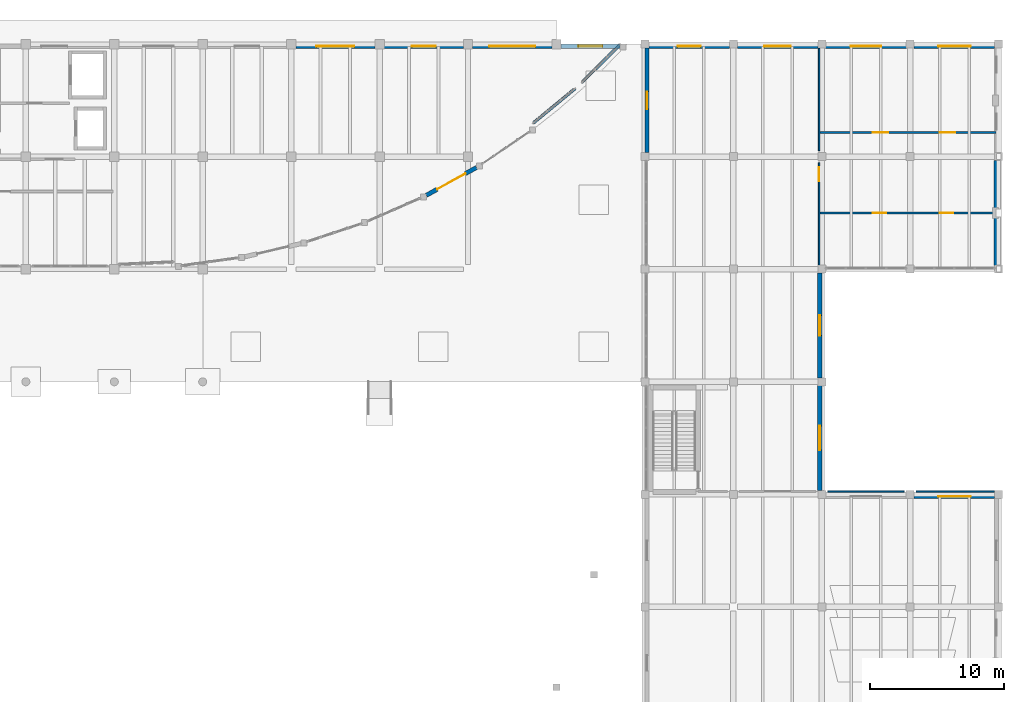
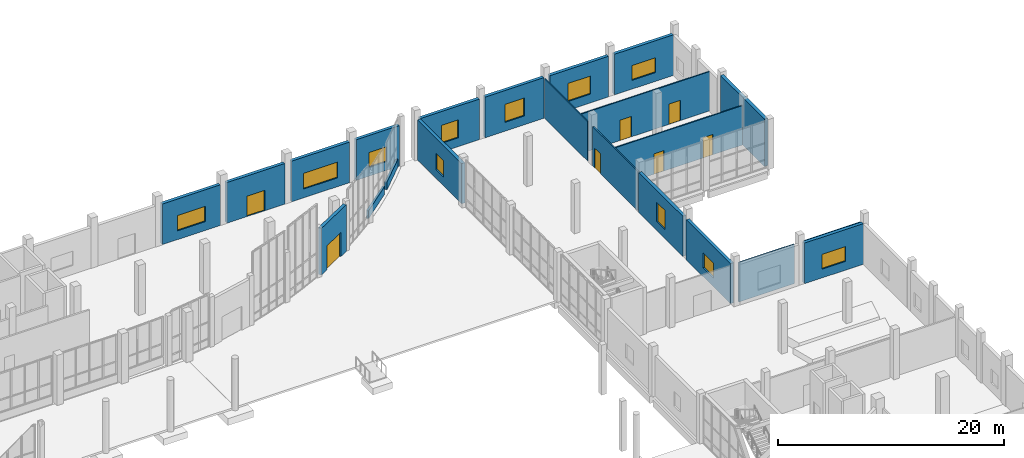
# One storey, part 49 of 64: 22 walls, 11 windows, 7 doors, 18 openings.
"""IFC4 building model written with IfcOpenShell, lengths in metres."""

from ifc_helpers import new_model, si_unit, direction, frame, frame_2d, origin, place, context, subcontext, project, spatial, rectangle, extrude, material, layer, layer_set, type_object, element, fill, save


model = new_model("IFC4")

# Units and contexts
model_context = context("Model", 3, precision=1e-05, world=origin(), true_north=direction((0.0, 1.0)))
body_context = subcontext(model_context, "Body", "Model", "MODEL_VIEW")
ifc_project = project(units=[si_unit("LENGTHUNIT", "METRE"), si_unit("AREAUNIT", "SQUARE_METRE"), si_unit("VOLUMEUNIT", "CUBIC_METRE"), si_unit("PLANEANGLEUNIT", "RADIAN"), si_unit("MASSUNIT", "GRAM", prefix="KILO")], contexts=[model_context])

# Site, building, storey
site_placement = place(None, origin())
site = spatial("IfcSite", under=ifc_project, at=site_placement, CompositionType="ELEMENT")
building_placement = place(site_placement, origin())
building = spatial("IfcBuilding", under=site, at=building_placement, Name="Qaldarim Faculty of Natural and Applied Sciences", CompositionType="ELEMENT")
storey_placement = place(building_placement, origin())
storey = spatial("IfcBuildingStorey", under=building, at=storey_placement, Name="L00", CompositionType="ELEMENT", Elevation=0.0)

# Walls
ifc_material_1 = material(Name="Painted gypsum partition board")
ifc_layer_1 = layer(ifc_material_1, 0.1201171875)
ifc_layer_set_1 = layer_set([ifc_layer_1], Name="Painted gypsum partition board")
wall_type_1 = type_object("IfcWallType", Name="AcousticPartition-120", PredefinedType="PARTITIONING", material=ifc_layer_set_1)
wall_1_placement = place(storey_placement, frame((165.449951171875, 84.199951171875, 0.0), z_axis=(0.0, 0.0, 1.0), x_axis=(1.0, 0.0, 0.0)))
element("IfcWall", 1, at=wall_1_placement, inside=storey, type_object=wall_type_1, Name="Interior partition PRT-L00-V3-EXHS-S3", PredefinedType="PARTITIONING", context=body_context, shape_type="SweptSolid", body=[
    extrude(rectangle(XDim=5.699951171875, YDim=0.1201171875, at=frame_2d((2.85009765625, 0.0))), origin(), (0.0, 0.0, 1.0), 4.25),
])
wall_2_placement = place(storey_placement, frame((172.050048828125, 84.199951171875, 0.0), z_axis=(0.0, 0.0, 1.0), x_axis=(1.0, 0.0, 0.0)))
element("IfcWall", 2, at=wall_2_placement, inside=storey, type_object=wall_type_1, Name="Interior partition PRT-L00-V3-EXHS-S4", PredefinedType="PARTITIONING", context=body_context, shape_type="SweptSolid", body=[
    extrude(rectangle(XDim=5.829833984375, YDim=0.1201171875, at=frame_2d((2.9150390625, 0.0))), origin(), (0.0, 0.0, 1.0), 4.25),
])

# Wall, opening, door
wall_3_placement = place(storey_placement, frame((164.800048828125, 100.800048828125, 0.0), z_axis=(0.0, 0.0, 1.0), x_axis=(0.0, 1.0, 0.0)))
wall_3 = element("IfcWall", 3, at=wall_3_placement, inside=storey, type_object=wall_type_1, Name="Interior partition PRT-L00-V3-SEMW-S1", PredefinedType="PARTITIONING", context=body_context, shape_type="SweptSolid", body=[
    extrude(rectangle(XDim=7.949951171875, YDim=0.1201171875, at=frame_2d((3.97509765625, 0.0))), origin(), (0.0, 0.0, 1.0), 4.25),
])
opening_1_placement = place(wall_3_placement, frame((6.550048828125, 0.0, 0.0)))
opening_1 = element("IfcOpeningElement", 4, at=opening_1_placement, cuts=wall_3, Name="Opening ID02", PredefinedType="OPENING", context=body_context, shape_type="SweptSolid", body=[
    extrude(rectangle(XDim=1.050048828125, YDim=2.14990234375, at=frame_2d((0.52490234375, 1.074951171875))), frame((0.0, 0.070068359375, 0.0), z_axis=(0.0, -1.0, 0.0), x_axis=(1.0, 0.0, 0.0)), (0.0, 0.0, 1.0), 0.14013671875),
])
ifc_material_2 = material(Name="Oak hardwood", Category="wood")
door_type_1 = type_object("IfcDoorType", Name="AccessibleRoomDoor-1050x2150", OperationType="NOTDEFINED", PredefinedType="DOOR", material=ifc_material_2)
door_1_placement = place(opening_1_placement, origin())
door_1 = element("IfcDoor", 5, at=door_1_placement, inside=storey, type_object=door_type_1, Name="Interior door D-L00-177", OperationType="SINGLE_SWING_LEFT", OverallHeight=2.14990234375, OverallWidth=1.050048828125, PredefinedType="DOOR", context=body_context, shape_type="SweptSolid", body=[
    extrude(rectangle(XDim=1.050048828125, YDim=2.14990234375, at=frame_2d((0.52490234375, 1.074951171875))), frame((0.0, 0.02490234375, 0.0), z_axis=(0.0, -1.0, 0.0), x_axis=(1.0, 0.0, 0.0)), (0.0, 0.0, 1.0), 0.050048828125),
])
fill(opening_1, door_1)

# Wall
wall_4_placement = place(storey_placement, frame((164.800048828125, 109.64990234375, 0.0), z_axis=(0.0, 0.0, 1.0), x_axis=(0.0, 1.0, 0.0)))
element("IfcWall", 6, at=wall_4_placement, inside=storey, type_object=wall_type_1, Name="Interior partition PRT-L00-V3-SEMW-S2", PredefinedType="PARTITIONING", context=body_context, shape_type="SweptSolid", body=[
    extrude(rectangle(XDim=7.630126953125, YDim=0.1201171875, at=frame_2d((3.81494140625, 0.0))), origin(), (0.0, 0.0, 1.0), 4.25),
])

# Wall, openings, doors
wall_5_placement = place(storey_placement, frame((164.800048828125, 105.0, 0.0), z_axis=(0.0, 0.0, 1.0), x_axis=(1.0, 0.0, 0.0)))
wall_5 = element("IfcWall", 7, at=wall_5_placement, inside=storey, type_object=wall_type_1, Name="Interior partition PRT-L00-V3-POD-1", PredefinedType="PARTITIONING", context=body_context, shape_type="SweptSolid", body=[
    extrude(rectangle(XDim=13.199951171875, YDim=0.1201171875, at=frame_2d((6.60009765625, 0.0))), origin(), (0.0, 0.0, 1.0), 4.25),
])
opening_2_placement = place(wall_5_placement, frame((4.0, 0.0, 0.0)))
opening_2 = element("IfcOpeningElement", 8, at=opening_2_placement, cuts=wall_5, Name="Opening ID08", PredefinedType="OPENING", context=body_context, shape_type="SweptSolid", body=[
    extrude(rectangle(XDim=1.0, YDim=2.199951171875, at=frame_2d((0.5, 1.10009765625))), frame((0.0, 0.070068359375, 0.0), z_axis=(0.0, -1.0, 0.0), x_axis=(1.0, 0.0, 0.0)), (0.0, 0.0, 1.0), 0.14013671875),
])
opening_3_placement = place(wall_5_placement, frame((9.0, 0.0, 0.0)))
opening_3 = element("IfcOpeningElement", 9, at=opening_3_placement, cuts=wall_5, Name="Opening ID08", PredefinedType="OPENING", context=body_context, shape_type="SweptSolid", body=[
    extrude(rectangle(XDim=1.0, YDim=2.199951171875, at=frame_2d((0.5, 1.10009765625))), frame((0.0, 0.070068359375, 0.0), z_axis=(0.0, -1.0, 0.0), x_axis=(1.0, 0.0, 0.0)), (0.0, 0.0, 1.0), 0.14013671875),
])
door_type_2 = type_object("IfcDoorType", Name="SeminarRoomDoor-1000x2200", OperationType="NOTDEFINED", PredefinedType="DOOR", material=ifc_material_2)
door_2_placement = place(opening_2_placement, origin())
door_2 = element("IfcDoor", 10, at=door_2_placement, inside=storey, type_object=door_type_2, Name="Interior door D-L00-366", OperationType="SINGLE_SWING_LEFT", OverallHeight=2.199951171875, OverallWidth=1.0, PredefinedType="DOOR", context=body_context, shape_type="SweptSolid", body=[
    extrude(rectangle(XDim=1.0, YDim=2.199951171875, at=frame_2d((0.5, 1.10009765625))), frame((0.0, 0.02490234375, 0.0), z_axis=(0.0, -1.0, 0.0), x_axis=(1.0, 0.0, 0.0)), (0.0, 0.0, 1.0), 0.050048828125),
])
fill(opening_2, door_2)
door_3_placement = place(opening_3_placement, origin())
door_3 = element("IfcDoor", 11, at=door_3_placement, inside=storey, type_object=door_type_2, Name="Interior door D-L00-367", OperationType="SINGLE_SWING_RIGHT", OverallHeight=2.199951171875, OverallWidth=1.0, PredefinedType="DOOR", context=body_context, shape_type="SweptSolid", body=[
    extrude(rectangle(XDim=1.0, YDim=2.199951171875, at=frame_2d((0.5, 1.10009765625))), frame((0.0, 0.02490234375, 0.0), z_axis=(0.0, -1.0, 0.0), x_axis=(1.0, 0.0, 0.0)), (0.0, 0.0, 1.0), 0.050048828125),
])
fill(opening_3, door_3)

wall_6_placement = place(storey_placement, frame((164.800048828125, 111.0, 0.0), z_axis=(0.0, 0.0, 1.0), x_axis=(1.0, 0.0, 0.0)))
wall_6 = element("IfcWall", 12, at=wall_6_placement, inside=storey, type_object=wall_type_1, Name="Interior partition PRT-L00-V3-POD-2", PredefinedType="PARTITIONING", context=body_context, shape_type="SweptSolid", body=[
    extrude(rectangle(XDim=13.199951171875, YDim=0.1201171875, at=frame_2d((6.60009765625, 0.0))), origin(), (0.0, 0.0, 1.0), 4.25),
])
opening_4_placement = place(wall_6_placement, frame((4.0, 0.0, 0.0)))
opening_4 = element("IfcOpeningElement", 13, at=opening_4_placement, cuts=wall_6, Name="Opening ID09", PredefinedType="OPENING", context=body_context, shape_type="SweptSolid", body=[
    extrude(rectangle(XDim=1.14990234375, YDim=2.199951171875, at=frame_2d((0.574951171875, 1.10009765625))), frame((0.0, 0.070068359375, 0.0), z_axis=(0.0, -1.0, 0.0), x_axis=(1.0, 0.0, 0.0)), (0.0, 0.0, 1.0), 0.14013671875),
])
opening_5_placement = place(wall_6_placement, frame((9.0, 0.0, 0.0)))
opening_5 = element("IfcOpeningElement", 14, at=opening_5_placement, cuts=wall_6, Name="Opening ID09", PredefinedType="OPENING", context=body_context, shape_type="SweptSolid", body=[
    extrude(rectangle(XDim=1.14990234375, YDim=2.199951171875, at=frame_2d((0.574951171875, 1.10009765625))), frame((0.0, 0.070068359375, 0.0), z_axis=(0.0, -1.0, 0.0), x_axis=(1.0, 0.0, 0.0)), (0.0, 0.0, 1.0), 0.14013671875),
])
ifc_material_3 = material(Name="Architectural stainless steel 316", Category="steel")
door_type_3 = type_object("IfcDoorType", Name="CleanroomAirlockDoor-1150x2200", OperationType="NOTDEFINED", PredefinedType="DOOR", material=ifc_material_3)
door_4_placement = place(opening_4_placement, origin())
door_4 = element("IfcDoor", 15, at=door_4_placement, inside=storey, type_object=door_type_3, Name="Interior door D-L00-368", OperationType="SINGLE_SWING_LEFT", OverallHeight=2.199951171875, OverallWidth=1.14990234375, PredefinedType="DOOR", context=body_context, shape_type="SweptSolid", body=[
    extrude(rectangle(XDim=1.14990234375, YDim=2.199951171875, at=frame_2d((0.574951171875, 1.10009765625))), frame((0.0, 0.02490234375, 0.0), z_axis=(0.0, -1.0, 0.0), x_axis=(1.0, 0.0, 0.0)), (0.0, 0.0, 1.0), 0.050048828125),
])
fill(opening_4, door_4)
door_5_placement = place(opening_5_placement, origin())
door_5 = element("IfcDoor", 16, at=door_5_placement, inside=storey, type_object=door_type_3, Name="Interior door D-L00-369", OperationType="SINGLE_SWING_RIGHT", OverallHeight=2.199951171875, OverallWidth=1.14990234375, PredefinedType="DOOR", context=body_context, shape_type="SweptSolid", body=[
    extrude(rectangle(XDim=1.14990234375, YDim=2.199951171875, at=frame_2d((0.574951171875, 1.10009765625))), frame((0.0, 0.02490234375, 0.0), z_axis=(0.0, -1.0, 0.0), x_axis=(1.0, 0.0, 0.0)), (0.0, 0.0, 1.0), 0.050048828125),
])
fill(opening_5, door_5)

# Wall, opening, window
ifc_material_4 = material(Name="Precast concrete C40/50", Category="concrete")
ifc_layer_2 = layer(ifc_material_4, 0.320068359375)
ifc_layer_set_2 = layer_set([ifc_layer_2], Name="Precast concrete C40/50")
wall_type_2 = type_object("IfcWallType", Name="ExteriorLimestoneWall-320", PredefinedType="SOLIDWALL", material=ifc_layer_set_2)
wall_7_placement = place(storey_placement, frame((131.655029296875, 117.43994140625, 0.0), z_axis=(0.0, 0.0, 1.0), x_axis=(-1.0, 0.0, 0.0)))
wall_7 = element("IfcWall", 17, at=wall_7_placement, inside=storey, type_object=wall_type_2, Name="Exterior wall EW01 L00 N X20Y14", PredefinedType="SOLIDWALL", context=body_context, shape_type="SweptSolid", body=[
    extrude(rectangle(XDim=5.909912109375, YDim=0.320068359375, at=frame_2d((2.955078125, 0.0))), origin(), (0.0, 0.0, 1.0), 4.385009765625),
])
opening_6_placement = place(wall_7_placement, frame((1.530029296875, 0.0, 0.949951171875)))
opening_6 = element("IfcOpeningElement", 18, at=opening_6_placement, cuts=wall_7, Name="Opening WN14", PredefinedType="OPENING", context=body_context, shape_type="SweptSolid", body=[
    extrude(rectangle(XDim=2.85009765625, YDim=1.64990234375, at=frame_2d((1.425048828125, 0.824951171875))), frame((0.0, 0.169921875, 0.0), z_axis=(0.0, -1.0, 0.0), x_axis=(1.0, 0.0, 0.0)), (0.0, 0.0, 1.0), 0.340087890625),
])
ifc_material_5 = material(Name="Insulated low-e double glazing", Category="glass")
window_type_1 = type_object("IfcWindowType", Name="LabWindow-2850x1650", PartitioningType="TRIPLE_PANEL_VERTICAL", PredefinedType="WINDOW", material=ifc_material_5)
window_1_placement = place(opening_6_placement, origin())
window_1 = element("IfcWindow", 19, at=window_1_placement, inside=storey, type_object=window_type_1, Name="Facade window WN14 L00 N X20Y14", OverallHeight=1.64990234375, OverallWidth=2.85009765625, PartitioningType="SINGLE_PANEL", PredefinedType="WINDOW", context=body_context, shape_type="SweptSolid", body=[
    extrude(rectangle(XDim=2.85009765625, YDim=1.64990234375, at=frame_2d((1.425048828125, 0.824951171875))), frame((0.0, 0.030029296875, 0.0), z_axis=(0.0, -1.0, 0.0), x_axis=(1.0, 0.0, 0.0)), (0.0, 0.0, 1.0), 0.06005859375),
])
fill(opening_6, window_1)

# Wall, opening, door
wall_8_placement = place(storey_placement, frame((138.2548828125, 117.43994140625, 0.0), z_axis=(0.0, 0.0, 1.0), x_axis=(-1.0, 0.0, 0.0)))
wall_8 = element("IfcWall", 20, at=wall_8_placement, inside=storey, type_object=wall_type_2, Name="Exterior wall EW01 L00 N X21Y14", PredefinedType="SOLIDWALL", context=body_context, shape_type="SweptSolid", body=[
    extrude(rectangle(XDim=5.909912109375, YDim=0.320068359375, at=frame_2d((2.955078125, 0.0))), origin(), (0.0, 0.0, 1.0), 4.385009765625),
])
opening_7_placement = place(wall_8_placement, frame((2.054931640625, 0.0, 0.0)))
opening_7 = element("IfcOpeningElement", 21, at=opening_7_placement, cuts=wall_8, Name="Opening ED04", PredefinedType="OPENING", context=body_context, shape_type="SweptSolid", body=[
    extrude(rectangle(XDim=1.800048828125, YDim=2.199951171875, at=frame_2d((0.89990234375, 1.10009765625))), frame((0.0, 0.169921875, 0.0), z_axis=(0.0, -1.0, 0.0), x_axis=(1.0, 0.0, 0.0)), (0.0, 0.0, 1.0), 0.340087890625),
])
door_type_4 = type_object("IfcDoorType", Name="FinalExitDoubleDoor-1800x2200", OperationType="NOTDEFINED", PredefinedType="DOOR", material=ifc_material_3)
door_6_placement = place(opening_7_placement, frame((1.800048828125, 0.0, 0.0), z_axis=(0.0, 0.0, 1.0), x_axis=(-1.0, 0.0, 0.0)))
door_6 = element("IfcDoor", 22, at=door_6_placement, inside=storey, type_object=door_type_4, Name="Exterior entrance/exit door D-L00-016", OperationType="DOUBLE_DOOR_SINGLE_SWING", OverallHeight=2.199951171875, OverallWidth=1.800048828125, PredefinedType="DOOR", context=body_context, shape_type="SweptSolid", body=[
    extrude(rectangle(XDim=1.800048828125, YDim=2.199951171875, at=frame_2d((0.89990234375, 1.10009765625))), frame((0.0, 0.02490234375, 0.0), z_axis=(0.0, -1.0, 0.0), x_axis=(1.0, 0.0, 0.0)), (0.0, 0.0, 1.0), 0.050048828125),
])
fill(opening_7, door_6)

# Wall, opening, window
wall_9_placement = place(storey_placement, frame((144.85498046875, 117.43994140625, 0.0), z_axis=(0.0, 0.0, 1.0), x_axis=(-1.0, 0.0, 0.0)))
wall_9 = element("IfcWall", 23, at=wall_9_placement, inside=storey, type_object=wall_type_2, Name="Exterior wall EW01 L00 N X22Y14", PredefinedType="SOLIDWALL", context=body_context, shape_type="SweptSolid", body=[
    extrude(rectangle(XDim=5.909912109375, YDim=0.320068359375, at=frame_2d((2.955078125, 0.0))), origin(), (0.0, 0.0, 1.0), 4.385009765625),
])
opening_8_placement = place(wall_9_placement, frame((1.22998046875, 0.0, 0.949951171875)))
opening_8 = element("IfcOpeningElement", 24, at=opening_8_placement, cuts=wall_9, Name="Opening WN16", PredefinedType="OPENING", context=body_context, shape_type="SweptSolid", body=[
    extrude(rectangle(XDim=3.449951171875, YDim=1.699951171875, at=frame_2d((1.72509765625, 0.85009765625))), frame((0.0, 0.169921875, 0.0), z_axis=(0.0, -1.0, 0.0), x_axis=(1.0, 0.0, 0.0)), (0.0, 0.0, 1.0), 0.340087890625),
])
window_type_2 = type_object("IfcWindowType", Name="LabWindow-3450x1700", PartitioningType="TRIPLE_PANEL_VERTICAL", PredefinedType="WINDOW", material=ifc_material_5)
window_2_placement = place(opening_8_placement, origin())
window_2 = element("IfcWindow", 25, at=window_2_placement, inside=storey, type_object=window_type_2, Name="Facade window WN16 L00 N X22Y14", OverallHeight=1.699951171875, OverallWidth=3.449951171875, PartitioningType="SINGLE_PANEL", PredefinedType="WINDOW", context=body_context, shape_type="SweptSolid", body=[
    extrude(rectangle(XDim=3.449951171875, YDim=1.699951171875, at=frame_2d((1.72509765625, 0.85009765625))), frame((0.0, 0.030029296875, 0.0), z_axis=(0.0, -1.0, 0.0), x_axis=(1.0, 0.0, 0.0)), (0.0, 0.0, 1.0), 0.06005859375),
])
fill(opening_8, window_2)

wall_10_placement = place(storey_placement, frame((158.10498046875, 117.43994140625, 0.0), z_axis=(0.0, 0.0, 1.0), x_axis=(-1.0, 0.0, 0.0)))
wall_10 = element("IfcWall", 26, at=wall_10_placement, inside=storey, type_object=wall_type_2, Name="Exterior wall EW01 L00 N X24Y14", PredefinedType="SOLIDWALL", context=body_context, shape_type="SweptSolid", body=[
    extrude(rectangle(XDim=6.010009765625, YDim=0.320068359375, at=frame_2d((3.0048828125, 0.0))), origin(), (0.0, 0.0, 1.0), 4.385009765625),
])
opening_9_placement = place(wall_10_placement, frame((2.155029296875, 0.0, 0.949951171875)))
opening_9 = element("IfcOpeningElement", 27, at=opening_9_placement, cuts=wall_10, Name="Opening WN26", PredefinedType="OPENING", context=body_context, shape_type="SweptSolid", body=[
    extrude(rectangle(XDim=1.699951171875, YDim=1.949951171875, at=frame_2d((0.85009765625, 0.97509765625))), frame((0.0, 0.169921875, 0.0), z_axis=(0.0, -1.0, 0.0), x_axis=(1.0, 0.0, 0.0)), (0.0, 0.0, 1.0), 0.340087890625),
])
window_type_3 = type_object("IfcWindowType", Name="GalleryWindow-1700x1950", PartitioningType="DOUBLE_PANEL_VERTICAL", PredefinedType="WINDOW", material=ifc_material_5)
window_3_placement = place(opening_9_placement, origin())
window_3 = element("IfcWindow", 28, at=window_3_placement, inside=storey, type_object=window_type_3, Name="Facade window WN26 L00 N X24Y14", OverallHeight=1.949951171875, OverallWidth=1.699951171875, PartitioningType="SINGLE_PANEL", PredefinedType="WINDOW", context=body_context, shape_type="SweptSolid", body=[
    extrude(rectangle(XDim=1.699951171875, YDim=1.949951171875, at=frame_2d((0.85009765625, 0.97509765625))), frame((0.0, 0.030029296875, 0.0), z_axis=(0.0, -1.0, 0.0), x_axis=(1.0, 0.0, 0.0)), (0.0, 0.0, 1.0), 0.06005859375),
])
fill(opening_9, window_3)

wall_11_placement = place(storey_placement, frame((151.9599609375, 117.304931640625, 0.0), z_axis=(0.0, 0.0, 1.0), x_axis=(0.0, -1.0, 0.0)))
wall_11 = element("IfcWall", 29, at=wall_11_placement, inside=storey, type_object=wall_type_2, Name="Exterior wall EW01 L00 W X24Y14", PredefinedType="SOLIDWALL", context=body_context, shape_type="SweptSolid", body=[
    extrude(rectangle(XDim=7.809814453125, YDim=0.320068359375, at=frame_2d((3.90478515625, 0.0))), origin(), (0.0, 0.0, 1.0), 4.3349609375),
])
opening_10_placement = place(wall_11_placement, frame((3.2548828125, 0.0, 0.949951171875)))
opening_10 = element("IfcOpeningElement", 30, at=opening_10_placement, cuts=wall_11, Name="Opening WN18", PredefinedType="OPENING", context=body_context, shape_type="SweptSolid", body=[
    extrude(rectangle(XDim=1.300048828125, YDim=1.75, at=frame_2d((0.64990234375, 0.875))), frame((0.0, 0.169921875, 0.0), z_axis=(0.0, -1.0, 0.0), x_axis=(1.0, 0.0, 0.0)), (0.0, 0.0, 1.0), 0.340087890625),
])
window_type_4 = type_object("IfcWindowType", Name="StudyWindow-1300x1750", PartitioningType="SINGLE_PANEL", PredefinedType="WINDOW", material=ifc_material_5)
window_4_placement = place(opening_10_placement, origin())
window_4 = element("IfcWindow", 31, at=window_4_placement, inside=storey, type_object=window_type_4, Name="Facade window WN18 L00 W X24Y14", OverallHeight=1.75, OverallWidth=1.300048828125, PartitioningType="SINGLE_PANEL", PredefinedType="WINDOW", context=body_context, shape_type="SweptSolid", body=[
    extrude(rectangle(XDim=1.300048828125, YDim=1.75, at=frame_2d((0.64990234375, 0.875))), frame((0.0, 0.030029296875, 0.0), z_axis=(0.0, -1.0, 0.0), x_axis=(1.0, 0.0, 0.0)), (0.0, 0.0, 1.0), 0.06005859375),
])
fill(opening_10, window_4)

wall_12_placement = place(storey_placement, frame((164.840087890625, 84.294921875, 0.0), z_axis=(0.0, 0.0, 1.0), x_axis=(0.0, 1.0, 0.0)))
wall_12 = element("IfcWall", 32, at=wall_12_placement, inside=storey, type_object=wall_type_2, Name="Exterior wall EW01 L00 E X25Y11", PredefinedType="SOLIDWALL", context=body_context, shape_type="SweptSolid", body=[
    extrude(rectangle(XDim=7.81005859375, YDim=0.320068359375, at=frame_2d((3.905029296875, 0.0))), origin(), (0.0, 0.0, 1.0), 4.3349609375),
])
opening_11_placement = place(wall_12_placement, frame((3.0048828125, 0.0, 0.949951171875)))
opening_11 = element("IfcOpeningElement", 33, at=opening_11_placement, cuts=wall_12, Name="Opening WN02", PredefinedType="OPENING", context=body_context, shape_type="SweptSolid", body=[
    extrude(rectangle(XDim=1.800048828125, YDim=1.60009765625, at=frame_2d((0.89990234375, 0.800048828125))), frame((0.0, 0.169921875, 0.0), z_axis=(0.0, -1.0, 0.0), x_axis=(1.0, 0.0, 0.0)), (0.0, 0.0, 1.0), 0.340087890625),
])
window_type_5 = type_object("IfcWindowType", Name="Window-1800x1600", PartitioningType="DOUBLE_PANEL_VERTICAL", PredefinedType="WINDOW", material=ifc_material_5)
window_5_placement = place(opening_11_placement, origin())
window_5 = element("IfcWindow", 34, at=window_5_placement, inside=storey, type_object=window_type_5, Name="Facade window WN02 L00 E X25Y11", OverallHeight=1.60009765625, OverallWidth=1.800048828125, PartitioningType="SINGLE_PANEL", PredefinedType="WINDOW", context=body_context, shape_type="SweptSolid", body=[
    extrude(rectangle(XDim=1.800048828125, YDim=1.60009765625, at=frame_2d((0.89990234375, 0.800048828125))), frame((0.0, 0.030029296875, 0.0), z_axis=(0.0, -1.0, 0.0), x_axis=(1.0, 0.0, 0.0)), (0.0, 0.0, 1.0), 0.06005859375),
])
fill(opening_11, window_5)

wall_13_placement = place(storey_placement, frame((164.840087890625, 92.695068359375, 0.0), z_axis=(0.0, 0.0, 1.0), x_axis=(0.0, 1.0, 0.0)))
wall_13 = element("IfcWall", 35, at=wall_13_placement, inside=storey, type_object=wall_type_2, Name="Exterior wall EW01 L00 E X25Y12", PredefinedType="SOLIDWALL", context=body_context, shape_type="SweptSolid", body=[
    extrude(rectangle(XDim=7.809814453125, YDim=0.320068359375, at=frame_2d((3.90478515625, 0.0))), origin(), (0.0, 0.0, 1.0), 4.3349609375),
])
opening_12_placement = place(wall_13_placement, frame((3.155029296875, 0.0, 0.949951171875)))
opening_12 = element("IfcOpeningElement", 36, at=opening_12_placement, cuts=wall_13, Name="Opening WN06", PredefinedType="OPENING", context=body_context, shape_type="SweptSolid", body=[
    extrude(rectangle(XDim=1.5, YDim=2.10009765625, at=frame_2d((0.75, 1.050048828125))), frame((0.0, 0.169921875, 0.0), z_axis=(0.0, -1.0, 0.0), x_axis=(1.0, 0.0, 0.0)), (0.0, 0.0, 1.0), 0.340087890625),
])
window_type_6 = type_object("IfcWindowType", Name="Window-1500x2100", PartitioningType="DOUBLE_PANEL_VERTICAL", PredefinedType="WINDOW", material=ifc_material_5)
window_6_placement = place(opening_12_placement, origin())
window_6 = element("IfcWindow", 37, at=window_6_placement, inside=storey, type_object=window_type_6, Name="Facade window WN06 L00 E X25Y12", OverallHeight=2.10009765625, OverallWidth=1.5, PartitioningType="SINGLE_PANEL", PredefinedType="WINDOW", context=body_context, shape_type="SweptSolid", body=[
    extrude(rectangle(XDim=1.5, YDim=2.10009765625, at=frame_2d((0.75, 1.050048828125))), frame((0.0, 0.030029296875, 0.0), z_axis=(0.0, -1.0, 0.0), x_axis=(1.0, 0.0, 0.0)), (0.0, 0.0, 1.0), 0.06005859375),
])
fill(opening_12, window_6)

wall_14_placement = place(storey_placement, frame((164.705078125, 117.43994140625, 0.0), z_axis=(0.0, 0.0, 1.0), x_axis=(-1.0, 0.0, 0.0)))
wall_14 = element("IfcWall", 38, at=wall_14_placement, inside=storey, type_object=wall_type_2, Name="Exterior wall EW01 L00 N X25Y14", PredefinedType="SOLIDWALL", context=body_context, shape_type="SweptSolid", body=[
    extrude(rectangle(XDim=6.010009765625, YDim=0.320068359375, at=frame_2d((3.0048828125, 0.0))), origin(), (0.0, 0.0, 1.0), 4.385009765625),
])
opening_13_placement = place(wall_14_placement, frame((2.0048828125, 0.0, 0.949951171875)))
opening_13 = element("IfcOpeningElement", 39, at=opening_13_placement, cuts=wall_14, Name="Opening WN27", PredefinedType="OPENING", context=body_context, shape_type="SweptSolid", body=[
    extrude(rectangle(XDim=2.0, YDim=1.949951171875, at=frame_2d((1.0, 0.97509765625))), frame((0.0, 0.169921875, 0.0), z_axis=(0.0, -1.0, 0.0), x_axis=(1.0, 0.0, 0.0)), (0.0, 0.0, 1.0), 0.340087890625),
])
window_type_7 = type_object("IfcWindowType", Name="GalleryWindow-2000x1950", PartitioningType="DOUBLE_PANEL_VERTICAL", PredefinedType="WINDOW", material=ifc_material_5)
window_7_placement = place(opening_13_placement, origin())
window_7 = element("IfcWindow", 40, at=window_7_placement, inside=storey, type_object=window_type_7, Name="Facade window WN27 L00 N X25Y14", OverallHeight=1.949951171875, OverallWidth=2.0, PartitioningType="SINGLE_PANEL", PredefinedType="WINDOW", context=body_context, shape_type="SweptSolid", body=[
    extrude(rectangle(XDim=2.0, YDim=1.949951171875, at=frame_2d((1.0, 0.97509765625))), frame((0.0, 0.030029296875, 0.0), z_axis=(0.0, -1.0, 0.0), x_axis=(1.0, 0.0, 0.0)), (0.0, 0.0, 1.0), 0.06005859375),
])
fill(opening_13, window_7)

wall_15_placement = place(storey_placement, frame((171.304931640625, 117.43994140625, 0.0), z_axis=(0.0, 0.0, 1.0), x_axis=(-1.0, 0.0, 0.0)))
wall_15 = element("IfcWall", 41, at=wall_15_placement, inside=storey, type_object=wall_type_2, Name="Exterior wall EW01 L00 N X26Y14", PredefinedType="SOLIDWALL", context=body_context, shape_type="SweptSolid", body=[
    extrude(rectangle(XDim=6.010009765625, YDim=0.320068359375, at=frame_2d((3.0048828125, 0.0))), origin(), (0.0, 0.0, 1.0), 4.385009765625),
])
opening_14_placement = place(wall_15_placement, frame((1.85498046875, 0.0, 0.949951171875)))
opening_14 = element("IfcOpeningElement", 42, at=opening_14_placement, cuts=wall_15, Name="Opening WN28", PredefinedType="OPENING", context=body_context, shape_type="SweptSolid", body=[
    extrude(rectangle(XDim=2.300048828125, YDim=1.949951171875, at=frame_2d((1.14990234375, 0.97509765625))), frame((0.0, 0.169921875, 0.0), z_axis=(0.0, -1.0, 0.0), x_axis=(1.0, 0.0, 0.0)), (0.0, 0.0, 1.0), 0.340087890625),
])
window_type_8 = type_object("IfcWindowType", Name="GalleryWindow-2300x1950", PartitioningType="TRIPLE_PANEL_VERTICAL", PredefinedType="WINDOW", material=ifc_material_5)
window_8_placement = place(opening_14_placement, origin())
window_8 = element("IfcWindow", 43, at=window_8_placement, inside=storey, type_object=window_type_8, Name="Facade window WN28 L00 N X26Y14", OverallHeight=1.949951171875, OverallWidth=2.300048828125, PartitioningType="SINGLE_PANEL", PredefinedType="WINDOW", context=body_context, shape_type="SweptSolid", body=[
    extrude(rectangle(XDim=2.300048828125, YDim=1.949951171875, at=frame_2d((1.14990234375, 0.97509765625))), frame((0.0, 0.030029296875, 0.0), z_axis=(0.0, -1.0, 0.0), x_axis=(1.0, 0.0, 0.0)), (0.0, 0.0, 1.0), 0.06005859375),
])
fill(opening_14, window_8)

wall_16_placement = place(storey_placement, frame((177.905029296875, 83.840087890625, 0.0), z_axis=(0.0, 0.0, 1.0), x_axis=(-1.0, 0.0, 0.0)))
wall_16 = element("IfcWall", 44, at=wall_16_placement, inside=storey, type_object=wall_type_2, Name="Exterior wall EW01 L00 N X27Y10", PredefinedType="SOLIDWALL", context=body_context, shape_type="SweptSolid", body=[
    extrude(rectangle(XDim=6.010009765625, YDim=0.320068359375, at=frame_2d((3.0048828125, 0.0))), origin(), (0.0, 0.0, 1.0), 4.385009765625),
])
opening_15_placement = place(wall_16_placement, frame((1.804931640625, 0.0, 0.949951171875)))
opening_15 = element("IfcOpeningElement", 45, at=opening_15_placement, cuts=wall_16, Name="Opening WN03", PredefinedType="OPENING", context=body_context, shape_type="SweptSolid", body=[
    extrude(rectangle(XDim=2.39990234375, YDim=1.60009765625, at=frame_2d((1.199951171875, 0.800048828125))), frame((0.0, 0.169921875, 0.0), z_axis=(0.0, -1.0, 0.0), x_axis=(1.0, 0.0, 0.0)), (0.0, 0.0, 1.0), 0.340087890625),
])
window_type_9 = type_object("IfcWindowType", Name="Window-2400x1600", PartitioningType="TRIPLE_PANEL_VERTICAL", PredefinedType="WINDOW", material=ifc_material_5)
window_9_placement = place(opening_15_placement, origin())
window_9 = element("IfcWindow", 46, at=window_9_placement, inside=storey, type_object=window_type_9, Name="Facade window WN03 L00 N X27Y10", OverallHeight=1.60009765625, OverallWidth=2.39990234375, PartitioningType="SINGLE_PANEL", PredefinedType="WINDOW", context=body_context, shape_type="SweptSolid", body=[
    extrude(rectangle(XDim=2.39990234375, YDim=1.60009765625, at=frame_2d((1.199951171875, 0.800048828125))), frame((0.0, 0.030029296875, 0.0), z_axis=(0.0, -1.0, 0.0), x_axis=(1.0, 0.0, 0.0)), (0.0, 0.0, 1.0), 0.06005859375),
])
fill(opening_15, window_9)

wall_17_placement = place(storey_placement, frame((177.905029296875, 117.43994140625, 0.0), z_axis=(0.0, 0.0, 1.0), x_axis=(-1.0, 0.0, 0.0)))
wall_17 = element("IfcWall", 47, at=wall_17_placement, inside=storey, type_object=wall_type_2, Name="Exterior wall EW01 L00 N X27Y14", PredefinedType="SOLIDWALL", context=body_context, shape_type="SweptSolid", body=[
    extrude(rectangle(XDim=6.010009765625, YDim=0.320068359375, at=frame_2d((3.0048828125, 0.0))), origin(), (0.0, 0.0, 1.0), 4.385009765625),
])
opening_16_placement = place(wall_17_placement, frame((1.804931640625, 0.0, 0.949951171875)))
opening_16 = element("IfcOpeningElement", 48, at=opening_16_placement, cuts=wall_17, Name="Opening WN03", PredefinedType="OPENING", context=body_context, shape_type="SweptSolid", body=[
    extrude(rectangle(XDim=2.39990234375, YDim=1.60009765625, at=frame_2d((1.199951171875, 0.800048828125))), frame((0.0, 0.169921875, 0.0), z_axis=(0.0, -1.0, 0.0), x_axis=(1.0, 0.0, 0.0)), (0.0, 0.0, 1.0), 0.340087890625),
])
window_10_placement = place(opening_16_placement, origin())
window_10 = element("IfcWindow", 49, at=window_10_placement, inside=storey, type_object=window_type_9, Name="Facade window WN03 L00 N X27Y14", OverallHeight=1.60009765625, OverallWidth=2.39990234375, PartitioningType="SINGLE_PANEL", PredefinedType="WINDOW", context=body_context, shape_type="SweptSolid", body=[
    extrude(rectangle(XDim=2.39990234375, YDim=1.60009765625, at=frame_2d((1.199951171875, 0.800048828125))), frame((0.0, 0.030029296875, 0.0), z_axis=(0.0, -1.0, 0.0), x_axis=(1.0, 0.0, 0.0)), (0.0, 0.0, 1.0), 0.06005859375),
])
fill(opening_16, window_10)

# Wall, opening, door
wall_18_placement = place(storey_placement, frame((135.485107421875, 106.31494140625, 0.0), z_axis=(0.0, 0.0, 1.0), x_axis=(0.874437155069, 0.485138806771, 0.0)))
wall_18 = element("IfcWall", 50, at=wall_18_placement, inside=storey, type_object=wall_type_2, Name="Arched portal entrance doorway wall 5", PredefinedType="SOLIDWALL", context=body_context, shape_type="SweptSolid", body=[
    extrude(rectangle(XDim=4.277099609375, YDim=0.320068359375, at=frame_2d((2.138671875, 0.0))), origin(), (0.0, 0.0, 1.0), 5.0400390625),
])
opening_17_placement = place(wall_18_placement, frame((0.93994140625, 0.0, 0.0)))
opening_17 = element("IfcOpeningElement", 51, at=opening_17_placement, cuts=wall_18, Name="Opening ED02", PredefinedType="OPENING", context=body_context, shape_type="SweptSolid", body=[
    extrude(rectangle(XDim=2.39990234375, YDim=2.60009765625, at=frame_2d((1.199951171875, 1.300048828125))), frame((0.0, 0.169921875, 0.0), z_axis=(0.0, -1.0, 0.0), x_axis=(1.0, 0.0, 0.0)), (0.0, 0.0, 1.0), 0.340087890625),
])
ifc_material_6 = material(Name="Anodised aluminium AW-6063", Category="aluminium")
door_type_5 = type_object("IfcDoorType", Name="PortalGlazedEntranceDoor-2400x2600", OperationType="NOTDEFINED", PredefinedType="DOOR", material=ifc_material_6)
door_7_placement = place(opening_17_placement, frame((2.39990234375, 0.0, 0.0), z_axis=(0.0, 0.0, 1.0), x_axis=(-1.0, 0.0, 0.0)))
door_7 = element("IfcDoor", 52, at=door_7_placement, inside=storey, type_object=door_type_5, Name="Swept arched portal ceremonial entrance door D-L00-033", OperationType="DOUBLE_DOOR_SINGLE_SWING", OverallHeight=2.60009765625, OverallWidth=2.39990234375, PredefinedType="DOOR", context=body_context, shape_type="SweptSolid", body=[
    extrude(rectangle(XDim=2.39990234375, YDim=2.60009765625, at=frame_2d((1.199951171875, 1.300048828125))), frame((0.0, 0.02490234375, 0.0), z_axis=(0.0, -1.0, 0.0), x_axis=(1.0, 0.0, 0.0)), (0.0, 0.0, 1.0), 0.050048828125),
])
fill(opening_17, door_7)

# Wall, opening, window
wall_19_placement = place(storey_placement, frame((149.929931640625, 117.43994140625, 0.0), z_axis=(0.0, 0.0, 1.0), x_axis=(-1.0, 0.0, 0.0)))
wall_19 = element("IfcWall", 53, at=wall_19_placement, inside=storey, type_object=wall_type_2, Name="Laboratories NE corner facade wall L00", PredefinedType="SOLIDWALL", context=body_context, shape_type="SweptSolid", body=[
    extrude(rectangle(XDim=4.385009765625, YDim=0.320068359375, at=frame_2d((2.1923828125, 0.0))), origin(), (0.0, 0.0, 1.0), 4.385009765625),
])
opening_18_placement = place(wall_19_placement, frame((1.294921875, 0.0, 0.949951171875)))
opening_18 = element("IfcOpeningElement", 54, at=opening_18_placement, cuts=wall_19, Name="Opening WN02", PredefinedType="OPENING", context=body_context, shape_type="SweptSolid", body=[
    extrude(rectangle(XDim=1.800048828125, YDim=1.60009765625, at=frame_2d((0.89990234375, 0.800048828125))), frame((0.0, 0.169921875, 0.0), z_axis=(0.0, -1.0, 0.0), x_axis=(1.0, 0.0, 0.0)), (0.0, 0.0, 1.0), 0.340087890625),
])
window_11_placement = place(opening_18_placement, origin())
window_11 = element("IfcWindow", 55, at=window_11_placement, inside=storey, type_object=window_type_5, Name="Laboratories NE corner window L00", OverallHeight=1.60009765625, OverallWidth=1.800048828125, PartitioningType="SINGLE_PANEL", PredefinedType="WINDOW", context=body_context, shape_type="SweptSolid", body=[
    extrude(rectangle(XDim=1.800048828125, YDim=1.60009765625, at=frame_2d((0.89990234375, 0.800048828125))), frame((0.0, 0.030029296875, 0.0), z_axis=(0.0, -1.0, 0.0), x_axis=(1.0, 0.0, 0.0)), (0.0, 0.0, 1.0), 0.06005859375),
])
fill(opening_18, window_11)

# Walls
ifc_material_7 = material(Name="Concrete C50/60", Category="concrete")
ifc_layer_3 = layer(ifc_material_7, 0.340087890625)
ifc_layer_set_3 = layer_set([ifc_layer_3], Name="Concrete C50/60")
wall_type_3 = type_object("IfcWallType", Name="ExteriorStairShearWall-340", PredefinedType="SHEAR", material=ifc_layer_set_3)
wall_20_placement = place(storey_placement, frame((178.030029296875, 101.094970703125, 0.0), z_axis=(0.0, 0.0, 1.0), x_axis=(0.0, 1.0, 0.0)))
element("IfcWall", 56, at=wall_20_placement, inside=storey, type_object=wall_type_3, Name="Exterior wall EW05 L00 E X27Y13", PredefinedType="SHEAR", context=body_context, shape_type="SweptSolid", body=[
    extrude(rectangle(XDim=7.81005859375, YDim=0.340087890625, at=frame_2d((3.905029296875, 0.0))), origin(), (0.0, 0.0, 1.0), 5.10009765625),
])
ifc_material_8 = material(Name="White architectural precast concrete C40/50", Category="concrete")
ifc_layer_4 = layer(ifc_material_8, 0.219970703125)
ifc_layer_set_4 = layer_set([ifc_layer_4], Name="White architectural precast concrete C40/50")
wall_type_4 = type_object("IfcWallType", Name="WhitePrecastWaveBand-220", PredefinedType="SOLIDWALL", material=ifc_layer_set_4)
wall_21_placement = place(storey_placement, frame((143.455078125, 111.699951171875, 0.0), z_axis=(0.0, 0.0, 1.0), x_axis=(0.771757904354, 0.635916454471, 0.0)))
element("IfcWall", 57, at=wall_21_placement, inside=storey, type_object=wall_type_4, Name="Curved corner ground plinth band 14", PredefinedType="SOLIDWALL", context=body_context, shape_type="SweptSolid", body=[
    extrude(rectangle(XDim=4.04931640625, YDim=0.219970703125, at=frame_2d((2.024658203125, 0.0))), origin(), (0.0, 0.0, 1.0), 0.85009765625),
])
wall_22_placement = place(storey_placement, frame((147.094970703125, 114.739990234375, 0.0), z_axis=(0.0, 0.0, 1.0), x_axis=(0.710175751401, 0.704024432902, 0.0)))
element("IfcWall", 58, at=wall_22_placement, inside=storey, type_object=wall_type_4, Name="Curved corner ground plinth band 16", PredefinedType="SOLIDWALL", context=body_context, shape_type="SweptSolid", body=[
    extrude(rectangle(XDim=4.04833984375, YDim=0.219970703125, at=frame_2d((2.024169921875, 0.0))), origin(), (0.0, 0.0, 1.0), 0.85009765625),
])

save(model, "model.ifc")
